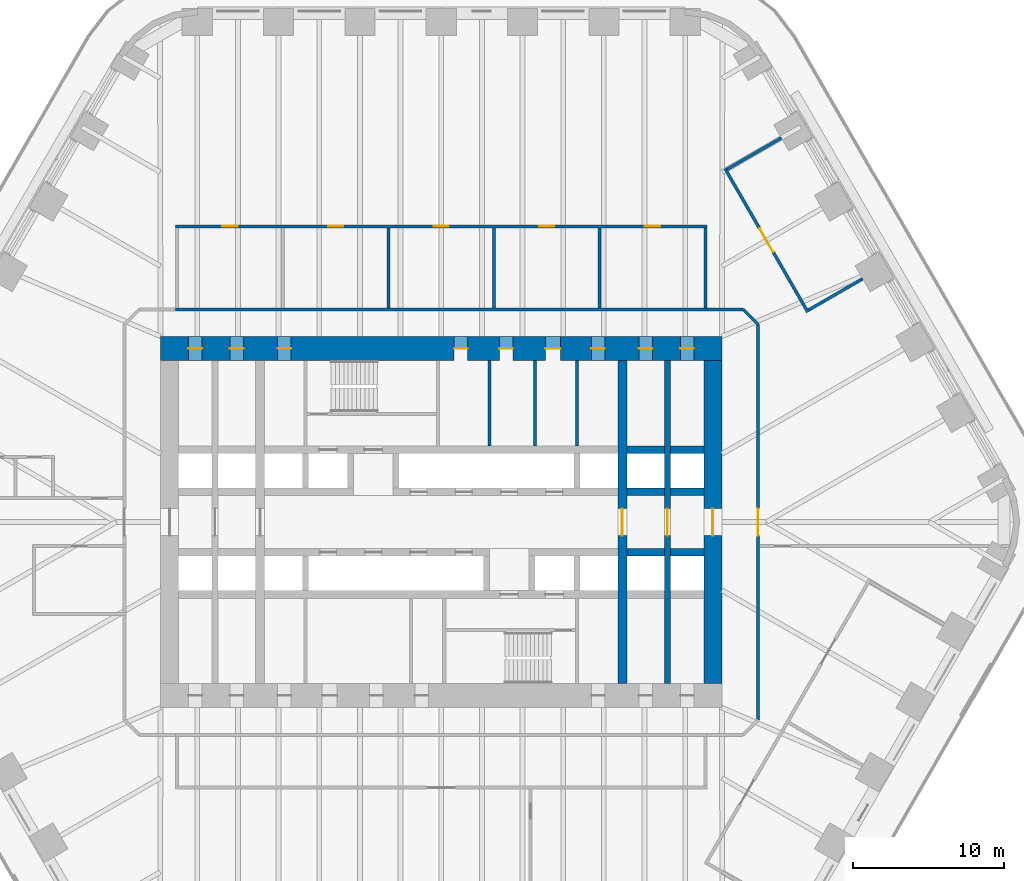
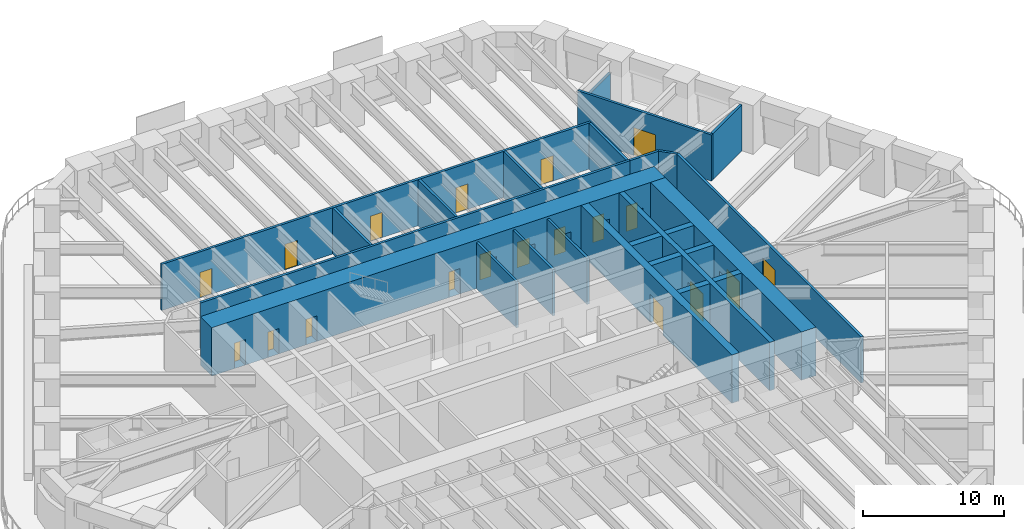
# One storey, part 19 of 23: 25 walls, 19 doors, 19 openings.
"""IFC4 building model written with IfcOpenShell, lengths in metres."""

from ifc_helpers import new_model, si_unit, direction, frame, frame_2d, origin, place, context, subcontext, project, spatial, rectangle, extrude, material, layer, layer_set, type_object, element, fill, save


model = new_model("IFC4")

# Units and contexts
model_context = context("Model", 3, precision=1e-05, world=origin(), true_north=direction((0.0, 1.0)))
body_context = subcontext(model_context, "Body", "Model", "MODEL_VIEW")
ifc_project = project(units=[si_unit("LENGTHUNIT", "METRE"), si_unit("AREAUNIT", "SQUARE_METRE"), si_unit("VOLUMEUNIT", "CUBIC_METRE"), si_unit("PLANEANGLEUNIT", "RADIAN"), si_unit("MASSUNIT", "GRAM", prefix="KILO")], contexts=[model_context])

# Site, building, storey
site_placement = place(None, origin())
site = spatial("IfcSite", under=ifc_project, at=site_placement, CompositionType="ELEMENT")
building_placement = place(site_placement, origin())
building = spatial("IfcBuilding", under=site, at=building_placement, Name="Tarfa Lantern Tower", CompositionType="ELEMENT")
storey_placement = place(building_placement, frame((0.0, 0.0, 57.10009765625)))
storey = spatial("IfcBuildingStorey", under=building, at=storey_placement, Name="L12", CompositionType="ELEMENT", Elevation=57.10009765625)

# Walls
ifc_material_1 = material(Name="Concrete blockwork", Category="masonry")
ifc_layer_1 = layer(ifc_material_1, 0.199951171875)
ifc_layer_set_1 = layer_set([ifc_layer_1], Name="IW1 BLOCKWORK PARTITION 200 EI 120")
wall_type_1 = type_object("IfcWallType", Name="IW1 BLOCKWORK PARTITION 200 EI 120", PredefinedType="PARTITIONING", material=ifc_layer_set_1)
for number, where, z_axis, x_axis, name in (
    (1, (9.0, 5.050048828125, 0.0), (0.0, 0.0, 1.0), (0.0, 1.0, 0.0), "Core partition"),
    (2, (3.199951171875, 5.050048828125, 0.0), (0.0, 0.0, 1.0), (0.0, 1.0, 0.0), "Core partition"),
    (3, (6.199951171875, 5.050048828125, 0.0), (0.0, 0.0, 1.0), (0.0, 1.0, 0.0), "Core partition"),
):
    element("IfcWall", number, at=place(storey_placement, frame(where, z_axis=z_axis, x_axis=x_axis)), inside=storey, type_object=wall_type_1, Name=name, PredefinedType="PARTITIONING", context=body_context, shape_type="SweptSolid", body=[
        extrude(rectangle(XDim=5.64990234375, YDim=0.199951171875, at=frame_2d((2.824951171875, 0.0))), origin(), (0.0, 0.0, 1.0), 4.0),
    ])
ifc_material_2 = material(Name="Gypsum board on steel studs", Category="steel")
ifc_layer_2 = layer(ifc_material_2, 0.2099609375)
ifc_layer_set_2 = layer_set([ifc_layer_2], Name="IW2 ACOUSTIC PARTITION 200")
wall_type_2 = type_object("IfcWallType", Name="IW2 ACOUSTIC PARTITION 200", PredefinedType="PARTITIONING", material=ifc_layer_set_2)
wall_1_placement = place(storey_placement, frame((-17.60009765625, 14.10009765625, 0.0), z_axis=(0.0, 0.0, 1.0), x_axis=(1.0, 0.0, 0.0)))
element("IfcWall", 4, at=wall_1_placement, inside=storey, type_object=wall_type_2, Name="Partition", PredefinedType="PARTITIONING", context=body_context, shape_type="SweptSolid", body=[
    extrude(rectangle(XDim=35.2001953125, YDim=0.199951171875, at=frame_2d((17.60009765625, 0.0))), origin(), (0.0, 0.0, 1.0), 4.0),
])

# Wall, openings, doors
wall_2_placement = place(storey_placement, frame((-17.60009765625, 19.60009765625, 0.0), z_axis=(0.0, 0.0, 1.0), x_axis=(1.0, 0.0, 0.0)))
wall_2 = element("IfcWall", 5, at=wall_2_placement, inside=storey, type_object=wall_type_2, Name="Partition", PredefinedType="PARTITIONING", context=body_context, shape_type="SweptSolid", body=[
    extrude(rectangle(XDim=35.2001953125, YDim=0.199951171875, at=frame_2d((17.60009765625, 0.0))), origin(), (0.0, 0.0, 1.0), 4.0),
])
opening_1_placement = place(wall_2_placement, frame((3.10009765625, 0.0, 0.0)))
opening_1 = element("IfcOpeningElement", 6, at=opening_1_placement, cuts=wall_2, Name="Opening D33", PredefinedType="OPENING", context=body_context, shape_type="SweptSolid", body=[
    extrude(rectangle(XDim=1.0, YDim=2.199951171875, at=frame_2d((0.5, 1.10009765625))), frame((0.0, 0.10986328125, 0.0), z_axis=(0.0, -1.0, 0.0), x_axis=(1.0, 0.0, 0.0)), (0.0, 0.0, 1.0), 0.219970703125),
])
opening_2_placement = place(wall_2_placement, frame((10.10009765625, 0.0, 0.0)))
opening_2 = element("IfcOpeningElement", 7, at=opening_2_placement, cuts=wall_2, Name="Opening D34", PredefinedType="OPENING", context=body_context, shape_type="SweptSolid", body=[
    extrude(rectangle(XDim=1.0, YDim=2.199951171875, at=frame_2d((0.5, 1.10009765625))), frame((0.0, 0.10986328125, 0.0), z_axis=(0.0, -1.0, 0.0), x_axis=(1.0, 0.0, 0.0)), (0.0, 0.0, 1.0), 0.219970703125),
])
opening_3_placement = place(wall_2_placement, frame((17.10009765625, 0.0, 0.0)))
opening_3 = element("IfcOpeningElement", 8, at=opening_3_placement, cuts=wall_2, Name="Opening D35", PredefinedType="OPENING", context=body_context, shape_type="SweptSolid", body=[
    extrude(rectangle(XDim=1.0, YDim=2.199951171875, at=frame_2d((0.5, 1.10009765625))), frame((0.0, 0.10986328125, 0.0), z_axis=(0.0, -1.0, 0.0), x_axis=(1.0, 0.0, 0.0)), (0.0, 0.0, 1.0), 0.219970703125),
])
opening_4_placement = place(wall_2_placement, frame((24.10009765625, 0.0, 0.0)))
opening_4 = element("IfcOpeningElement", 9, at=opening_4_placement, cuts=wall_2, Name="Opening D36", PredefinedType="OPENING", context=body_context, shape_type="SweptSolid", body=[
    extrude(rectangle(XDim=1.0, YDim=2.199951171875, at=frame_2d((0.5, 1.10009765625))), frame((0.0, 0.10986328125, 0.0), z_axis=(0.0, -1.0, 0.0), x_axis=(1.0, 0.0, 0.0)), (0.0, 0.0, 1.0), 0.219970703125),
])
opening_5_placement = place(wall_2_placement, frame((31.10009765625, 0.0, 0.0)))
opening_5 = element("IfcOpeningElement", 10, at=opening_5_placement, cuts=wall_2, Name="Opening D37", PredefinedType="OPENING", context=body_context, shape_type="SweptSolid", body=[
    extrude(rectangle(XDim=1.0, YDim=2.199951171875, at=frame_2d((0.5, 1.10009765625))), frame((0.0, 0.10986328125, 0.0), z_axis=(0.0, -1.0, 0.0), x_axis=(1.0, 0.0, 0.0)), (0.0, 0.0, 1.0), 0.219970703125),
])
ifc_material_3 = material(Name="Timber door", Category="wood")
door_type_1 = type_object("IfcDoorType", Name="DR1 ROOM DOOR 1000x2200", OperationType="SINGLE_SWING_LEFT", PredefinedType="DOOR", material=ifc_material_3)
door_1_placement = place(opening_1_placement, frame((1.0, 0.0, 0.0), z_axis=(0.0, 0.0, 1.0), x_axis=(-1.0, 0.0, 0.0)))
door_1 = element("IfcDoor", 11, at=door_1_placement, inside=storey, type_object=door_type_1, Name="Plan room door", OperationType="SINGLE_SWING_LEFT", OverallHeight=2.199951171875, OverallWidth=1.0, PredefinedType="DOOR", context=body_context, shape_type="SweptSolid", body=[
    extrude(rectangle(XDim=1.0, YDim=2.199951171875, at=frame_2d((0.5, 1.10009765625))), frame((0.0, 0.02490234375, 0.0), z_axis=(0.0, -1.0, 0.0), x_axis=(1.0, 0.0, 0.0)), (0.0, 0.0, 1.0), 0.050048828125),
])
fill(opening_1, door_1)
door_2_placement = place(opening_2_placement, frame((1.0, 0.0, 0.0), z_axis=(0.0, 0.0, 1.0), x_axis=(-1.0, 0.0, 0.0)))
door_2 = element("IfcDoor", 12, at=door_2_placement, inside=storey, type_object=door_type_1, Name="Model room door", OperationType="SINGLE_SWING_LEFT", OverallHeight=2.199951171875, OverallWidth=1.0, PredefinedType="DOOR", context=body_context, shape_type="SweptSolid", body=[
    extrude(rectangle(XDim=1.0, YDim=2.199951171875, at=frame_2d((0.5, 1.10009765625))), frame((0.0, 0.02490234375, 0.0), z_axis=(0.0, -1.0, 0.0), x_axis=(1.0, 0.0, 0.0)), (0.0, 0.0, 1.0), 0.050048828125),
])
fill(opening_2, door_2)
door_3_placement = place(opening_3_placement, frame((1.0, 0.0, 0.0), z_axis=(0.0, 0.0, 1.0), x_axis=(-1.0, 0.0, 0.0)))
door_3 = element("IfcDoor", 13, at=door_3_placement, inside=storey, type_object=door_type_1, Name="Specification room door", OperationType="SINGLE_SWING_LEFT", OverallHeight=2.199951171875, OverallWidth=1.0, PredefinedType="DOOR", context=body_context, shape_type="SweptSolid", body=[
    extrude(rectangle(XDim=1.0, YDim=2.199951171875, at=frame_2d((0.5, 1.10009765625))), frame((0.0, 0.02490234375, 0.0), z_axis=(0.0, -1.0, 0.0), x_axis=(1.0, 0.0, 0.0)), (0.0, 0.0, 1.0), 0.050048828125),
])
fill(opening_3, door_3)
door_4_placement = place(opening_4_placement, frame((1.0, 0.0, 0.0), z_axis=(0.0, 0.0, 1.0), x_axis=(-1.0, 0.0, 0.0)))
door_4 = element("IfcDoor", 14, at=door_4_placement, inside=storey, type_object=door_type_1, Name="Drawing review room door", OperationType="SINGLE_SWING_RIGHT", OverallHeight=2.199951171875, OverallWidth=1.0, PredefinedType="DOOR", context=body_context, shape_type="SweptSolid", body=[
    extrude(rectangle(XDim=1.0, YDim=2.199951171875, at=frame_2d((0.5, 1.10009765625))), frame((0.0, 0.02490234375, 0.0), z_axis=(0.0, -1.0, 0.0), x_axis=(1.0, 0.0, 0.0)), (0.0, 0.0, 1.0), 0.050048828125),
])
fill(opening_4, door_4)
door_5_placement = place(opening_5_placement, frame((1.0, 0.0, 0.0), z_axis=(0.0, 0.0, 1.0), x_axis=(-1.0, 0.0, 0.0)))
door_5 = element("IfcDoor", 15, at=door_5_placement, inside=storey, type_object=door_type_1, Name="Cost planning room door", OperationType="SINGLE_SWING_RIGHT", OverallHeight=2.199951171875, OverallWidth=1.0, PredefinedType="DOOR", context=body_context, shape_type="SweptSolid", body=[
    extrude(rectangle(XDim=1.0, YDim=2.199951171875, at=frame_2d((0.5, 1.10009765625))), frame((0.0, 0.02490234375, 0.0), z_axis=(0.0, -1.0, 0.0), x_axis=(1.0, 0.0, 0.0)), (0.0, 0.0, 1.0), 0.050048828125),
])
fill(opening_5, door_5)

# Walls
for number, where, z_axis, x_axis, name in (
    (16, (-3.5, 14.199951171875, 0.0), (0.0, 0.0, 1.0), (0.0, 1.0, 0.0), "Partition"),
    (17, (3.5, 14.199951171875, 0.0), (0.0, 0.0, 1.0), (0.0, 1.0, 0.0), "Partition"),
    (18, (10.5, 14.199951171875, 0.0), (0.0, 0.0, 1.0), (0.0, 1.0, 0.0), "Partition"),
    (19, (17.5, 14.199951171875, 0.0), (0.0, 0.0, 1.0), (0.0, 1.0, 0.0), "Partition"),
):
    element("IfcWall", number, at=place(storey_placement, frame(where, z_axis=z_axis, x_axis=x_axis)), inside=storey, type_object=wall_type_2, Name=name, PredefinedType="PARTITIONING", context=body_context, shape_type="SweptSolid", body=[
        extrude(rectangle(XDim=5.300048828125, YDim=0.199951171875, at=frame_2d((2.64990234375, 0.0))), origin(), (0.0, 0.0, 1.0), 4.0),
    ])

# Wall, opening, door
wall_3_placement = place(storey_placement, frame((24.298828125, 13.913330078125, 0.0), z_axis=(0.0, 0.0, 1.0), x_axis=(-0.500009305389, 0.866020031249, 0.0)))
wall_3 = element("IfcWall", 20, at=wall_3_placement, inside=storey, type_object=wall_type_2, Name="Partition", PredefinedType="PARTITIONING", context=body_context, shape_type="SweptSolid", body=[
    extrude(rectangle(XDim=10.977294921875, YDim=0.199951171875, at=frame_2d((5.48876953125, 0.0))), origin(), (0.0, 0.0, 1.0), 4.0),
])
opening_6_placement = place(wall_3_placement, frame((4.588623046875, 0.0, 0.0)))
opening_6 = element("IfcOpeningElement", 21, at=opening_6_placement, cuts=wall_3, Name="Opening D29", PredefinedType="OPENING", context=body_context, shape_type="SweptSolid", body=[
    extrude(rectangle(XDim=1.800048828125, YDim=2.39990234375, at=frame_2d((0.89990234375, 1.199951171875))), frame((0.0, 0.10986328125, 0.0), z_axis=(0.0, -1.0, 0.0), x_axis=(1.0, 0.0, 0.0)), (0.0, 0.0, 1.0), 0.219970703125),
])
door_type_2 = type_object("IfcDoorType", Name="DR2 ROOM DOOR 1800x2400", OperationType="DOUBLE_DOOR_SINGLE_SWING", PredefinedType="DOOR", material=ifc_material_3)
door_6_placement = place(opening_6_placement, frame((1.800048828125, 0.0, 0.0), z_axis=(0.0, 0.0, 1.0), x_axis=(-1.0, 0.0, 0.0)))
door_6 = element("IfcDoor", 22, at=door_6_placement, inside=storey, type_object=door_type_2, Name="Review room door", OperationType="DOUBLE_DOOR_SINGLE_SWING", OverallHeight=2.39990234375, OverallWidth=1.800048828125, PredefinedType="DOOR", context=body_context, shape_type="SweptSolid", body=[
    extrude(rectangle(XDim=1.800048828125, YDim=2.39990234375, at=frame_2d((0.89990234375, 1.199951171875))), frame((0.0, 0.02490234375, 0.0), z_axis=(0.0, -1.0, 0.0), x_axis=(1.0, 0.0, 0.0)), (0.0, 0.0, 1.0), 0.050048828125),
])
fill(opening_6, door_6)

# Walls
wall_4_placement = place(storey_placement, frame((24.335205078125, 14.050048828125, 0.0), z_axis=(0.0, 0.0, 1.0), x_axis=(0.86602981871, 0.499992353047, 0.0)))
element("IfcWall", 23, at=wall_4_placement, inside=storey, type_object=wall_type_2, Name="Partition", PredefinedType="PARTITIONING", context=body_context, shape_type="SweptSolid", body=[
    extrude(rectangle(XDim=4.14990234375, YDim=0.199951171875, at=frame_2d((2.074951171875, 0.0))), origin(), (0.0, 0.0, 1.0), 4.0),
])
wall_5_placement = place(storey_placement, frame((18.94677734375, 23.38330078125, 0.0), z_axis=(0.0, 0.0, 1.0), x_axis=(0.86602981871, 0.499992353047, 0.0)))
element("IfcWall", 24, at=wall_5_placement, inside=storey, type_object=wall_type_2, Name="Partition", PredefinedType="PARTITIONING", context=body_context, shape_type="SweptSolid", body=[
    extrude(rectangle(XDim=4.14990234375, YDim=0.199951171875, at=frame_2d((2.074951171875, 0.0))), origin(), (0.0, 0.0, 1.0), 2.99169921875),
])
wall_6_placement = place(storey_placement, frame((17.60009765625, 14.10009765625, 0.0), z_axis=(0.0, 0.0, 1.0), x_axis=(1.0, 0.0, 0.0)))
element("IfcWall", 25, at=wall_6_placement, inside=storey, type_object=wall_type_2, Name="Partition", PredefinedType="PARTITIONING", context=body_context, shape_type="SweptSolid", body=[
    extrude(rectangle(XDim=2.39990234375, YDim=0.199951171875, at=frame_2d((1.199951171875, 0.0))), origin(), (0.0, 0.0, 1.0), 4.0),
])
wall_7_placement = place(storey_placement, frame((20.0, 14.10009765625, 0.0), z_axis=(0.0, 0.0, 1.0), x_axis=(0.707106781187, -0.707106781187, 0.0)))
element("IfcWall", 26, at=wall_7_placement, inside=storey, type_object=wall_type_2, Name="Partition", PredefinedType="PARTITIONING", context=body_context, shape_type="SweptSolid", body=[
    extrude(rectangle(XDim=1.414306640625, YDim=0.199951171875, at=frame_2d((0.70703125, 0.0))), origin(), (0.0, 0.0, 1.0), 4.0),
])

# Wall, opening, door
wall_8_placement = place(storey_placement, frame((21.0, 13.10009765625, 0.0), z_axis=(0.0, 0.0, 1.0), x_axis=(0.0, -1.0, 0.0)))
wall_8 = element("IfcWall", 27, at=wall_8_placement, inside=storey, type_object=wall_type_2, Name="Partition", PredefinedType="PARTITIONING", context=body_context, shape_type="SweptSolid", body=[
    extrude(rectangle(XDim=26.2001953125, YDim=0.199951171875, at=frame_2d((13.10009765625, 0.0))), origin(), (0.0, 0.0, 1.0), 4.0),
])
opening_7_placement = place(wall_8_placement, frame((12.199951171875, 0.0, 0.0)))
opening_7 = element("IfcOpeningElement", 28, at=opening_7_placement, cuts=wall_8, Name="Opening D44", PredefinedType="OPENING", context=body_context, shape_type="SweptSolid", body=[
    extrude(rectangle(XDim=1.800048828125, YDim=2.39990234375, at=frame_2d((0.89990234375, 1.199951171875))), frame((0.0, 0.10986328125, 0.0), z_axis=(0.0, -1.0, 0.0), x_axis=(1.0, 0.0, 0.0)), (0.0, 0.0, 1.0), 0.219970703125),
])
door_7_placement = place(opening_7_placement, origin())
door_7 = element("IfcDoor", 29, at=door_7_placement, inside=storey, type_object=door_type_2, Name="Corridor door", OperationType="DOUBLE_DOOR_SINGLE_SWING", OverallHeight=2.39990234375, OverallWidth=1.800048828125, PredefinedType="DOOR", context=body_context, shape_type="SweptSolid", body=[
    extrude(rectangle(XDim=1.800048828125, YDim=2.39990234375, at=frame_2d((0.89990234375, 1.199951171875))), frame((0.0, 0.02490234375, 0.0), z_axis=(0.0, -1.0, 0.0), x_axis=(1.0, 0.0, 0.0)), (0.0, 0.0, 1.0), 0.050048828125),
])
fill(opening_7, door_7)

ifc_material_4 = material(Name="Concrete C80/95", Category="concrete")
ifc_layer_3 = layer(ifc_material_4, 1.199951171875)
ifc_layer_set_3 = layer_set([ifc_layer_3], Name="SW1 CORE WALL 1200")
wall_type_3 = type_object("IfcWallType", Name="SW1 CORE WALL 1200", PredefinedType="SHEAR", material=ifc_layer_set_3)
wall_9_placement = place(storey_placement, frame((18.0, -10.699951171875, 0.0), z_axis=(0.0, 0.0, 1.0), x_axis=(0.0, 1.0, 0.0)))
wall_9 = element("IfcWall", 30, at=wall_9_placement, inside=storey, type_object=wall_type_3, Name="Core wall E", PredefinedType="SHEAR", context=body_context, shape_type="SweptSolid", body=[
    extrude(rectangle(XDim=21.39990234375, YDim=1.199951171875, at=frame_2d((10.699951171875, 0.0))), origin(), (0.0, 0.0, 1.0), 4.199951171875),
])
opening_8_placement = place(wall_9_placement, frame((9.800048828125, 0.0, 0.0)))
opening_8 = element("IfcOpeningElement", 31, at=opening_8_placement, cuts=wall_9, Name="Opening D15", PredefinedType="OPENING", context=body_context, shape_type="SweptSolid", body=[
    extrude(rectangle(XDim=1.800048828125, YDim=2.39990234375, at=frame_2d((0.89990234375, 1.199951171875))), frame((0.0, 0.60986328125, 0.0), z_axis=(0.0, -1.0, 0.0), x_axis=(1.0, 0.0, 0.0)), (0.0, 0.0, 1.0), 1.219970703125),
])
ifc_material_5 = material(Name="Steel fire door", Category="steel")
door_type_3 = type_object("IfcDoorType", Name="DL1 LOBBY DOOR 1800x2400", OperationType="DOUBLE_DOOR_SINGLE_SWING", PredefinedType="DOOR", material=ifc_material_5)
door_8_placement = place(opening_8_placement, frame((1.800048828125, 0.0, 0.0), z_axis=(0.0, 0.0, 1.0), x_axis=(-1.0, 0.0, 0.0)))
door_8 = element("IfcDoor", 32, at=door_8_placement, inside=storey, type_object=door_type_3, Name="Lift lobby door", OperationType="DOUBLE_DOOR_SINGLE_SWING", OverallHeight=2.39990234375, OverallWidth=1.800048828125, PredefinedType="DOOR", context=body_context, shape_type="SweptSolid", body=[
    extrude(rectangle(XDim=1.800048828125, YDim=2.39990234375, at=frame_2d((0.89990234375, 1.199951171875))), frame((0.0, 0.02490234375, 0.0), z_axis=(0.0, -1.0, 0.0), x_axis=(1.0, 0.0, 0.0)), (0.0, 0.0, 1.0), 0.050048828125),
])
fill(opening_8, door_8)

# Walls
ifc_layer_4 = layer(ifc_material_4, 0.5)
ifc_layer_set_4 = layer_set([ifc_layer_4], Name="SW5 CORE WALL 500")
wall_type_4 = type_object("IfcWallType", Name="SW5 CORE WALL 500", PredefinedType="SHEAR", material=ifc_layer_set_4)
wall_10_placement = place(storey_placement, frame((12.300048828125, 2.0, 0.0), z_axis=(0.0, 0.0, 1.0), x_axis=(1.0, 0.0, 0.0)))
element("IfcWall", 33, at=wall_10_placement, inside=storey, type_object=wall_type_4, Name="Core wall lobby east N", PredefinedType="SHEAR", context=body_context, shape_type="SweptSolid", body=[
    extrude(rectangle(XDim=2.5, YDim=0.5, at=frame_2d((1.25, 0.0))), origin(), (0.0, 0.0, 1.0), 4.199951171875),
])
wall_11_placement = place(storey_placement, frame((15.199951171875, 2.0, 0.0), z_axis=(0.0, 0.0, 1.0), x_axis=(1.0, 0.0, 0.0)))
element("IfcWall", 34, at=wall_11_placement, inside=storey, type_object=wall_type_4, Name="Core wall lobby east N", PredefinedType="SHEAR", context=body_context, shape_type="SweptSolid", body=[
    extrude(rectangle(XDim=2.199951171875, YDim=0.5, at=frame_2d((1.10009765625, 0.0))), origin(), (0.0, 0.0, 1.0), 4.199951171875),
])
wall_12_placement = place(storey_placement, frame((12.300048828125, 4.800048828125, 0.0), z_axis=(0.0, 0.0, 1.0), x_axis=(1.0, 0.0, 0.0)))
element("IfcWall", 35, at=wall_12_placement, inside=storey, type_object=wall_type_4, Name="Core wall rear N", PredefinedType="SHEAR", context=body_context, shape_type="SweptSolid", body=[
    extrude(rectangle(XDim=2.5, YDim=0.5, at=frame_2d((1.25, 0.0))), origin(), (0.0, 0.0, 1.0), 4.199951171875),
])
for number, where, z_axis, x_axis, name in (
    (36, (15.199951171875, 4.800048828125, 0.0), (0.0, 0.0, 1.0), (1.0, 0.0, 0.0), "Core wall rear N"),
    (37, (17.39990234375, -2.0, 0.0), (0.0, 0.0, 1.0), (-1.0, 0.0, 0.0), "Core wall lobby west S"),
):
    element("IfcWall", number, at=place(storey_placement, frame(where, z_axis=z_axis, x_axis=x_axis)), inside=storey, type_object=wall_type_4, Name=name, PredefinedType="SHEAR", context=body_context, shape_type="SweptSolid", body=[
        extrude(rectangle(XDim=2.199951171875, YDim=0.5, at=frame_2d((1.10009765625, 0.0))), origin(), (0.0, 0.0, 1.0), 4.199951171875),
    ])
wall_13_placement = place(storey_placement, frame((14.800048828125, -2.0, 0.0), z_axis=(0.0, 0.0, 1.0), x_axis=(-1.0, 0.0, 0.0)))
element("IfcWall", 38, at=wall_13_placement, inside=storey, type_object=wall_type_4, Name="Core wall lobby west S", PredefinedType="SHEAR", context=body_context, shape_type="SweptSolid", body=[
    extrude(rectangle(XDim=2.5, YDim=0.5, at=frame_2d((1.25, 0.0))), origin(), (0.0, 0.0, 1.0), 4.199951171875),
])

# Wall, opening, door
ifc_layer_5 = layer(ifc_material_4, 0.39990234375)
ifc_layer_set_5 = layer_set([ifc_layer_5], Name="SW6 CORE WALL 400")
wall_type_5 = type_object("IfcWallType", Name="SW6 CORE WALL 400", PredefinedType="SHEAR", material=ifc_layer_set_5)
wall_14_placement = place(storey_placement, frame((15.0, -10.699951171875, 0.0), z_axis=(0.0, 0.0, 1.0), x_axis=(0.0, 1.0, 0.0)))
wall_14 = element("IfcWall", 39, at=wall_14_placement, inside=storey, type_object=wall_type_5, Name="Core wall cross 15 m east", PredefinedType="SHEAR", context=body_context, shape_type="SweptSolid", body=[
    extrude(rectangle(XDim=21.39990234375, YDim=0.39990234375, at=frame_2d((10.699951171875, 0.0))), origin(), (0.0, 0.0, 1.0), 4.199951171875),
])
opening_9_placement = place(wall_14_placement, frame((9.800048828125, 0.0, 0.0)))
opening_9 = element("IfcOpeningElement", 40, at=opening_9_placement, cuts=wall_14, Name="Opening D26", PredefinedType="OPENING", context=body_context, shape_type="SweptSolid", body=[
    extrude(rectangle(XDim=1.800048828125, YDim=2.39990234375, at=frame_2d((0.89990234375, 1.199951171875))), frame((0.0, 0.2099609375, 0.0), z_axis=(0.0, -1.0, 0.0), x_axis=(1.0, 0.0, 0.0)), (0.0, 0.0, 1.0), 0.419921875),
])
door_9_placement = place(opening_9_placement, origin())
door_9 = element("IfcDoor", 41, at=door_9_placement, inside=storey, type_object=door_type_3, Name="Lift lobby door", OperationType="DOUBLE_DOOR_SINGLE_SWING", OverallHeight=2.39990234375, OverallWidth=1.800048828125, PredefinedType="DOOR", context=body_context, shape_type="SweptSolid", body=[
    extrude(rectangle(XDim=1.800048828125, YDim=2.39990234375, at=frame_2d((0.89990234375, 1.199951171875))), frame((0.0, 0.02490234375, 0.0), z_axis=(0.0, -1.0, 0.0), x_axis=(1.0, 0.0, 0.0)), (0.0, 0.0, 1.0), 0.050048828125),
])
fill(opening_9, door_9)

# Wall, openings, doors
ifc_layer_6 = layer(ifc_material_4, 1.60009765625)
ifc_layer_set_6 = layer_set([ifc_layer_6], Name="SW7 CORE WALL 1600")
wall_type_6 = type_object("IfcWallType", Name="SW7 CORE WALL 1600", PredefinedType="SHEAR", material=ifc_layer_set_6)
wall_15_placement = place(storey_placement, frame((-18.60009765625, 11.5, 0.0), z_axis=(0.0, 0.0, 1.0), x_axis=(1.0, 0.0, 0.0)))
wall_15 = element("IfcWall", 42, at=wall_15_placement, inside=storey, type_object=wall_type_6, Name="Core wall N", PredefinedType="SHEAR", context=body_context, shape_type="SweptSolid", body=[
    extrude(rectangle(XDim=37.2001953125, YDim=1.60009765625, at=frame_2d((18.60009765625, 0.0))), origin(), (0.0, 0.0, 1.0), 4.199951171875),
])
opening_10_placement = place(wall_15_placement, frame((19.449951171875, 0.0, 0.0)))
opening_10 = element("IfcOpeningElement", 43, at=opening_10_placement, cuts=wall_15, Name="Opening D17", PredefinedType="OPENING", context=body_context, shape_type="SweptSolid", body=[
    extrude(rectangle(XDim=0.89990234375, YDim=2.199951171875, at=frame_2d((0.449951171875, 1.10009765625))), frame((0.0, 0.81005859375, 0.0), z_axis=(0.0, -1.0, 0.0), x_axis=(1.0, 0.0, 0.0)), (0.0, 0.0, 1.0), 1.6201171875),
])
opening_11_placement = place(wall_15_placement, frame((22.449951171875, 0.0, 0.0)))
opening_11 = element("IfcOpeningElement", 44, at=opening_11_placement, cuts=wall_15, Name="Opening D19", PredefinedType="OPENING", context=body_context, shape_type="SweptSolid", body=[
    extrude(rectangle(XDim=0.89990234375, YDim=2.199951171875, at=frame_2d((0.449951171875, 1.10009765625))), frame((0.0, 0.81005859375, 0.0), z_axis=(0.0, -1.0, 0.0), x_axis=(1.0, 0.0, 0.0)), (0.0, 0.0, 1.0), 1.6201171875),
])
opening_12_placement = place(wall_15_placement, frame((25.5, 0.0, 0.0)))
opening_12 = element("IfcOpeningElement", 45, at=opening_12_placement, cuts=wall_15, Name="Opening D21", PredefinedType="OPENING", context=body_context, shape_type="SweptSolid", body=[
    extrude(rectangle(XDim=1.0, YDim=2.199951171875, at=frame_2d((0.5, 1.10009765625))), frame((0.0, 0.81005859375, 0.0), z_axis=(0.0, -1.0, 0.0), x_axis=(1.0, 0.0, 0.0)), (0.0, 0.0, 1.0), 1.6201171875),
])
opening_13_placement = place(wall_15_placement, frame((1.85009765625, 0.0, 0.0)))
opening_13 = element("IfcOpeningElement", 46, at=opening_13_placement, cuts=wall_15, Name="Opening D11", PredefinedType="OPENING", context=body_context, shape_type="SweptSolid", body=[
    extrude(rectangle(XDim=0.89990234375, YDim=2.199951171875, at=frame_2d((0.449951171875, 1.10009765625))), frame((0.0, 0.81005859375, 0.0), z_axis=(0.0, -1.0, 0.0), x_axis=(1.0, 0.0, 0.0)), (0.0, 0.0, 1.0), 1.6201171875),
])
opening_14_placement = place(wall_15_placement, frame((4.60009765625, 0.0, 0.0)))
opening_14 = element("IfcOpeningElement", 47, at=opening_14_placement, cuts=wall_15, Name="Opening D07", PredefinedType="OPENING", context=body_context, shape_type="SweptSolid", body=[
    extrude(rectangle(XDim=0.89990234375, YDim=2.199951171875, at=frame_2d((0.449951171875, 1.10009765625))), frame((0.0, 0.81005859375, 0.0), z_axis=(0.0, -1.0, 0.0), x_axis=(1.0, 0.0, 0.0)), (0.0, 0.0, 1.0), 1.6201171875),
])
opening_15_placement = place(wall_15_placement, frame((7.75, 0.0, 0.0)))
opening_15 = element("IfcOpeningElement", 48, at=opening_15_placement, cuts=wall_15, Name="Opening D09", PredefinedType="OPENING", context=body_context, shape_type="SweptSolid", body=[
    extrude(rectangle(XDim=0.89990234375, YDim=2.199951171875, at=frame_2d((0.449951171875, 1.10009765625))), frame((0.0, 0.81005859375, 0.0), z_axis=(0.0, -1.0, 0.0), x_axis=(1.0, 0.0, 0.0)), (0.0, 0.0, 1.0), 1.6201171875),
])
opening_16_placement = place(wall_15_placement, frame((28.550048828125, 0.0, 0.0)))
opening_16 = element("IfcOpeningElement", 49, at=opening_16_placement, cuts=wall_15, Name="Opening D05", PredefinedType="OPENING", context=body_context, shape_type="SweptSolid", body=[
    extrude(rectangle(XDim=0.89990234375, YDim=2.199951171875, at=frame_2d((0.449951171875, 1.10009765625))), frame((0.0, 0.81005859375, 0.0), z_axis=(0.0, -1.0, 0.0), x_axis=(1.0, 0.0, 0.0)), (0.0, 0.0, 1.0), 1.6201171875),
])
opening_17_placement = place(wall_15_placement, frame((31.699951171875, 0.0, 0.0)))
opening_17 = element("IfcOpeningElement", 50, at=opening_17_placement, cuts=wall_15, Name="Opening D01", PredefinedType="OPENING", context=body_context, shape_type="SweptSolid", body=[
    extrude(rectangle(XDim=0.89990234375, YDim=2.199951171875, at=frame_2d((0.449951171875, 1.10009765625))), frame((0.0, 0.81005859375, 0.0), z_axis=(0.0, -1.0, 0.0), x_axis=(1.0, 0.0, 0.0)), (0.0, 0.0, 1.0), 1.6201171875),
])
opening_18_placement = place(wall_15_placement, frame((34.449951171875, 0.0, 0.0)))
opening_18 = element("IfcOpeningElement", 51, at=opening_18_placement, cuts=wall_15, Name="Opening D03", PredefinedType="OPENING", context=body_context, shape_type="SweptSolid", body=[
    extrude(rectangle(XDim=0.89990234375, YDim=2.199951171875, at=frame_2d((0.449951171875, 1.10009765625))), frame((0.0, 0.81005859375, 0.0), z_axis=(0.0, -1.0, 0.0), x_axis=(1.0, 0.0, 0.0)), (0.0, 0.0, 1.0), 1.6201171875),
])
door_type_4 = type_object("IfcDoorType", Name="DF3 CORE ROOM DOOR 900x2200", OperationType="SINGLE_SWING_LEFT", PredefinedType="DOOR", material=ifc_material_5)
door_10_placement = place(opening_10_placement, frame((0.89990234375, 0.0, 0.0), z_axis=(0.0, 0.0, 1.0), x_axis=(-1.0, 0.0, 0.0)))
door_10 = element("IfcDoor", 52, at=door_10_placement, inside=storey, type_object=door_type_4, Name="Core door", OperationType="SINGLE_SWING_LEFT", OverallHeight=2.199951171875, OverallWidth=0.89990234375, PredefinedType="DOOR", context=body_context, shape_type="SweptSolid", body=[
    extrude(rectangle(XDim=0.89990234375, YDim=2.199951171875, at=frame_2d((0.449951171875, 1.10009765625))), frame((0.0, 0.02490234375, 0.0), z_axis=(0.0, -1.0, 0.0), x_axis=(1.0, 0.0, 0.0)), (0.0, 0.0, 1.0), 0.050048828125),
])
fill(opening_10, door_10)
door_11_placement = place(opening_11_placement, frame((0.89990234375, 0.0, 0.0), z_axis=(0.0, 0.0, 1.0), x_axis=(-1.0, 0.0, 0.0)))
door_11 = element("IfcDoor", 53, at=door_11_placement, inside=storey, type_object=door_type_4, Name="Core door", OperationType="SINGLE_SWING_LEFT", OverallHeight=2.199951171875, OverallWidth=0.89990234375, PredefinedType="DOOR", context=body_context, shape_type="SweptSolid", body=[
    extrude(rectangle(XDim=0.89990234375, YDim=2.199951171875, at=frame_2d((0.449951171875, 1.10009765625))), frame((0.0, 0.02490234375, 0.0), z_axis=(0.0, -1.0, 0.0), x_axis=(1.0, 0.0, 0.0)), (0.0, 0.0, 1.0), 0.050048828125),
])
fill(opening_11, door_11)
door_type_5 = type_object("IfcDoorType", Name="DF4 CORE ROOM DOOR 1000x2200", OperationType="SINGLE_SWING_LEFT", PredefinedType="DOOR", material=ifc_material_5)
door_12_placement = place(opening_12_placement, frame((1.0, 0.0, 0.0), z_axis=(0.0, 0.0, 1.0), x_axis=(-1.0, 0.0, 0.0)))
door_12 = element("IfcDoor", 54, at=door_12_placement, inside=storey, type_object=door_type_5, Name="Core door", OperationType="SINGLE_SWING_LEFT", OverallHeight=2.199951171875, OverallWidth=1.0, PredefinedType="DOOR", context=body_context, shape_type="SweptSolid", body=[
    extrude(rectangle(XDim=1.0, YDim=2.199951171875, at=frame_2d((0.5, 1.10009765625))), frame((0.0, 0.02490234375, 0.0), z_axis=(0.0, -1.0, 0.0), x_axis=(1.0, 0.0, 0.0)), (0.0, 0.0, 1.0), 0.050048828125),
])
fill(opening_12, door_12)
door_type_6 = type_object("IfcDoorType", Name="DF5 RISER DOOR 900x2200", OperationType="SINGLE_SWING_LEFT", PredefinedType="DOOR", material=ifc_material_5)
door_13_placement = place(opening_13_placement, frame((0.89990234375, 0.0, 0.0), z_axis=(0.0, 0.0, 1.0), x_axis=(-1.0, 0.0, 0.0)))
door_13 = element("IfcDoor", 55, at=door_13_placement, inside=storey, type_object=door_type_6, Name="Riser door", OperationType="SINGLE_SWING_LEFT", OverallHeight=2.199951171875, OverallWidth=0.89990234375, PredefinedType="DOOR", context=body_context, shape_type="SweptSolid", body=[
    extrude(rectangle(XDim=0.89990234375, YDim=2.199951171875, at=frame_2d((0.449951171875, 1.10009765625))), frame((0.0, 0.02490234375, 0.0), z_axis=(0.0, -1.0, 0.0), x_axis=(1.0, 0.0, 0.0)), (0.0, 0.0, 1.0), 0.050048828125),
])
fill(opening_13, door_13)
door_14_placement = place(opening_14_placement, frame((0.89990234375, 0.0, 0.0), z_axis=(0.0, 0.0, 1.0), x_axis=(-1.0, 0.0, 0.0)))
door_14 = element("IfcDoor", 56, at=door_14_placement, inside=storey, type_object=door_type_6, Name="Riser door", OperationType="SINGLE_SWING_LEFT", OverallHeight=2.199951171875, OverallWidth=0.89990234375, PredefinedType="DOOR", context=body_context, shape_type="SweptSolid", body=[
    extrude(rectangle(XDim=0.89990234375, YDim=2.199951171875, at=frame_2d((0.449951171875, 1.10009765625))), frame((0.0, 0.02490234375, 0.0), z_axis=(0.0, -1.0, 0.0), x_axis=(1.0, 0.0, 0.0)), (0.0, 0.0, 1.0), 0.050048828125),
])
fill(opening_14, door_14)
door_15_placement = place(opening_15_placement, frame((0.89990234375, 0.0, 0.0), z_axis=(0.0, 0.0, 1.0), x_axis=(-1.0, 0.0, 0.0)))
door_15 = element("IfcDoor", 57, at=door_15_placement, inside=storey, type_object=door_type_6, Name="Riser door", OperationType="SINGLE_SWING_LEFT", OverallHeight=2.199951171875, OverallWidth=0.89990234375, PredefinedType="DOOR", context=body_context, shape_type="SweptSolid", body=[
    extrude(rectangle(XDim=0.89990234375, YDim=2.199951171875, at=frame_2d((0.449951171875, 1.10009765625))), frame((0.0, 0.02490234375, 0.0), z_axis=(0.0, -1.0, 0.0), x_axis=(1.0, 0.0, 0.0)), (0.0, 0.0, 1.0), 0.050048828125),
])
fill(opening_15, door_15)
door_16_placement = place(opening_16_placement, frame((0.89990234375, 0.0, 0.0), z_axis=(0.0, 0.0, 1.0), x_axis=(-1.0, 0.0, 0.0)))
door_16 = element("IfcDoor", 58, at=door_16_placement, inside=storey, type_object=door_type_6, Name="Riser door", OperationType="SINGLE_SWING_RIGHT", OverallHeight=2.199951171875, OverallWidth=0.89990234375, PredefinedType="DOOR", context=body_context, shape_type="SweptSolid", body=[
    extrude(rectangle(XDim=0.89990234375, YDim=2.199951171875, at=frame_2d((0.449951171875, 1.10009765625))), frame((0.0, 0.02490234375, 0.0), z_axis=(0.0, -1.0, 0.0), x_axis=(1.0, 0.0, 0.0)), (0.0, 0.0, 1.0), 0.050048828125),
])
fill(opening_16, door_16)
door_17_placement = place(opening_17_placement, frame((0.89990234375, 0.0, 0.0), z_axis=(0.0, 0.0, 1.0), x_axis=(-1.0, 0.0, 0.0)))
door_17 = element("IfcDoor", 59, at=door_17_placement, inside=storey, type_object=door_type_6, Name="Riser door", OperationType="SINGLE_SWING_RIGHT", OverallHeight=2.199951171875, OverallWidth=0.89990234375, PredefinedType="DOOR", context=body_context, shape_type="SweptSolid", body=[
    extrude(rectangle(XDim=0.89990234375, YDim=2.199951171875, at=frame_2d((0.449951171875, 1.10009765625))), frame((0.0, 0.02490234375, 0.0), z_axis=(0.0, -1.0, 0.0), x_axis=(1.0, 0.0, 0.0)), (0.0, 0.0, 1.0), 0.050048828125),
])
fill(opening_17, door_17)
door_18_placement = place(opening_18_placement, frame((0.89990234375, 0.0, 0.0), z_axis=(0.0, 0.0, 1.0), x_axis=(-1.0, 0.0, 0.0)))
door_18 = element("IfcDoor", 60, at=door_18_placement, inside=storey, type_object=door_type_6, Name="Riser door", OperationType="SINGLE_SWING_RIGHT", OverallHeight=2.199951171875, OverallWidth=0.89990234375, PredefinedType="DOOR", context=body_context, shape_type="SweptSolid", body=[
    extrude(rectangle(XDim=0.89990234375, YDim=2.199951171875, at=frame_2d((0.449951171875, 1.10009765625))), frame((0.0, 0.02490234375, 0.0), z_axis=(0.0, -1.0, 0.0), x_axis=(1.0, 0.0, 0.0)), (0.0, 0.0, 1.0), 0.050048828125),
])
fill(opening_18, door_18)

# Wall, opening, door
ifc_layer_7 = layer(ifc_material_4, 0.60009765625)
ifc_layer_set_7 = layer_set([ifc_layer_7], Name="SW9 CORE WALL 600")
wall_type_7 = type_object("IfcWallType", Name="SW9 CORE WALL 600", PredefinedType="SHEAR", material=ifc_layer_set_7)
wall_16_placement = place(storey_placement, frame((12.0, -10.699951171875, 0.0), z_axis=(0.0, 0.0, 1.0), x_axis=(0.0, 1.0, 0.0)))
wall_16 = element("IfcWall", 61, at=wall_16_placement, inside=storey, type_object=wall_type_7, Name="Core wall cross 12 m east", PredefinedType="SHEAR", context=body_context, shape_type="SweptSolid", body=[
    extrude(rectangle(XDim=21.39990234375, YDim=0.60009765625, at=frame_2d((10.699951171875, 0.0))), origin(), (0.0, 0.0, 1.0), 4.199951171875),
])
opening_19_placement = place(wall_16_placement, frame((9.800048828125, 0.0, 0.0)))
opening_19 = element("IfcOpeningElement", 62, at=opening_19_placement, cuts=wall_16, Name="Opening D25", PredefinedType="OPENING", context=body_context, shape_type="SweptSolid", body=[
    extrude(rectangle(XDim=1.800048828125, YDim=2.39990234375, at=frame_2d((0.89990234375, 1.199951171875))), frame((0.0, 0.31005859375, 0.0), z_axis=(0.0, -1.0, 0.0), x_axis=(1.0, 0.0, 0.0)), (0.0, 0.0, 1.0), 0.6201171875),
])
door_19_placement = place(opening_19_placement, origin())
door_19 = element("IfcDoor", 63, at=door_19_placement, inside=storey, type_object=door_type_3, Name="Lift lobby door", OperationType="DOUBLE_DOOR_SINGLE_SWING", OverallHeight=2.39990234375, OverallWidth=1.800048828125, PredefinedType="DOOR", context=body_context, shape_type="SweptSolid", body=[
    extrude(rectangle(XDim=1.800048828125, YDim=2.39990234375, at=frame_2d((0.89990234375, 1.199951171875))), frame((0.0, 0.02490234375, 0.0), z_axis=(0.0, -1.0, 0.0), x_axis=(1.0, 0.0, 0.0)), (0.0, 0.0, 1.0), 0.050048828125),
])
fill(opening_19, door_19)

save(model, "model.ifc")
